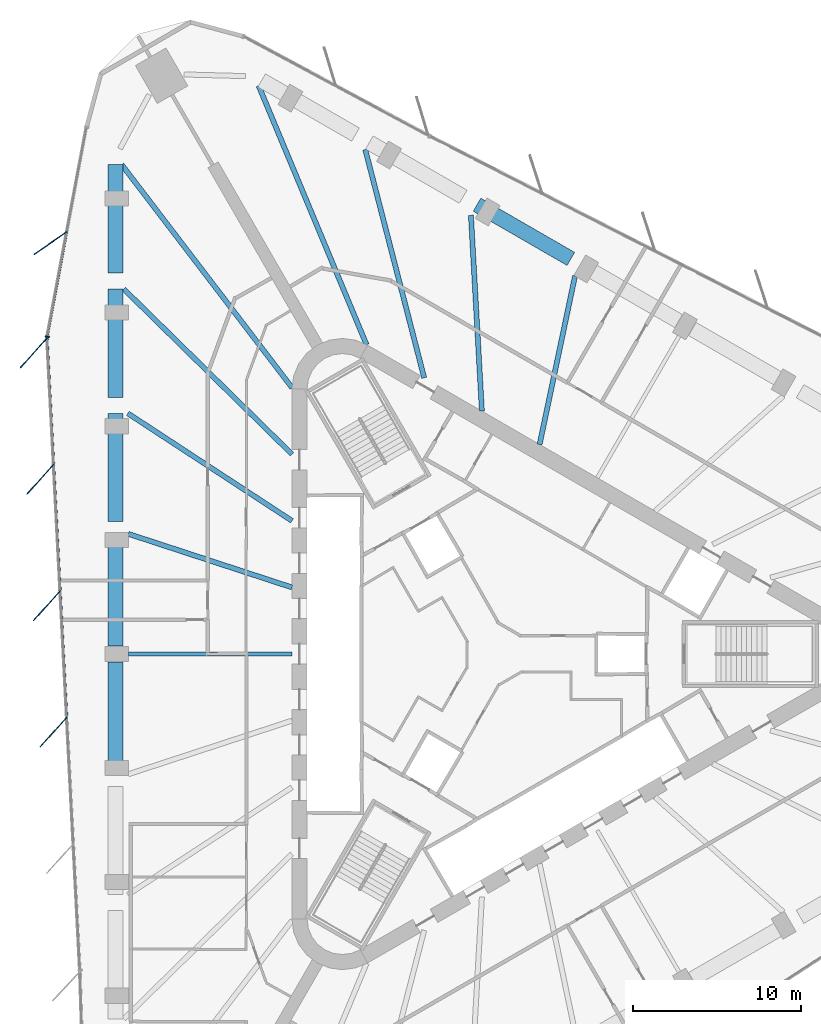
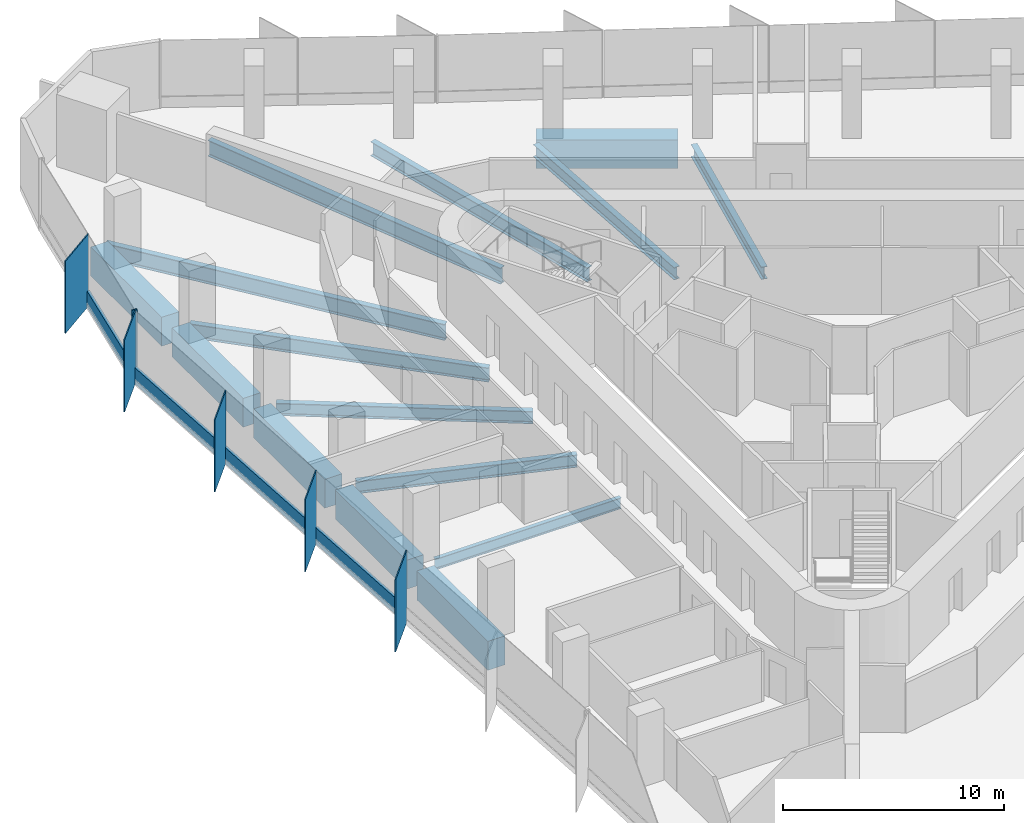
# One storey, part 4 of 13: 15 beams, 10 members, 2 elements without a shape of their own.
"""IFC4 building model written with IfcOpenShell, lengths in metres."""

from ifc_helpers import new_model, si_unit, direction, frame, origin, origin_2d, place, context, subcontext, project, spatial, rectangle, i_section, extrude, material, material_profile, profile_set, type_object, element, aggregate, save


model = new_model("IFC4")

# Units and contexts
model_context = context("Model", 3, precision=1e-05, world=origin(), true_north=direction((0.0, 1.0)))
body_context = subcontext(model_context, "Body", "Model", "MODEL_VIEW")
ifc_project = project(units=[si_unit("LENGTHUNIT", "METRE"), si_unit("AREAUNIT", "SQUARE_METRE"), si_unit("VOLUMEUNIT", "CUBIC_METRE"), si_unit("PLANEANGLEUNIT", "RADIAN"), si_unit("MASSUNIT", "GRAM", prefix="KILO")], contexts=[model_context])

# Site, building, storey
site_placement = place(None, origin())
site = spatial("IfcSite", under=ifc_project, at=site_placement, CompositionType="ELEMENT")
building_placement = place(site_placement, origin())
building = spatial("IfcBuilding", under=site, at=building_placement, Name="Tanit Gate Tower", CompositionType="ELEMENT")
storey_placement = place(building_placement, frame((0.0, 0.0, 169.199951171875)))
storey = spatial("IfcBuildingStorey", under=building, at=storey_placement, Name="L36", CompositionType="ELEMENT", Elevation=169.199951171875)

# Curtain wall, member
ifc_material_1 = material(Name="Aluminium bronze anodised and glass", Category="aluminium")
curtain_wall_type = type_object("IfcCurtainWallType", Name="Curtain wall typical mid", PredefinedType="NOTDEFINED", material=ifc_material_1)
curtain_wall_1_placement = place(storey_placement, origin())
curtain_wall_1 = element("IfcCurtainWall", 1, at=curtain_wall_1_placement, inside=storey, type_object=curtain_wall_type, Name="Curtain wall L36 W1", PredefinedType="NOTDEFINED")
ifc_material_2 = material(Name="Aluminium bronze anodised", Category="aluminium")
ifc_material_profile_1 = material_profile(ifc_material_2, rectangle(XDim=2.39990234375, YDim=0.055908203125, at=origin_2d()), Name="56x2400 bronze fin mullion")
ifc_profile_set_1 = profile_set([ifc_material_profile_1], Name="Aluminium bronze anodised")
member_type_1 = type_object("IfcMemberType", Name="FIN MULLION 56x2400 bronze", PredefinedType="MULLION", material=ifc_profile_set_1)
member_1_placement = place(storey_placement, frame((-26.4541015625, 24.430908203125, -0.300048828125), z_axis=(0.0, 0.0, 1.0), x_axis=(0.825254067471, 0.564761652489, 0.0)))
member_1 = element("IfcMember", 2, at=member_1_placement, type_object=member_type_1, Name="Fin mullion L36 W1.2", PredefinedType="MULLION", context=body_context, shape_type="SweptSolid", body=[
    extrude(rectangle(XDim=2.39990234375, YDim=0.055908203125, at=origin_2d()), origin(), (0.0, 0.0, 1.0), 4.0),
])

# Curtain wall, members
curtain_wall_2_placement = place(storey_placement, origin())
curtain_wall_2 = element("IfcCurtainWall", 3, at=curtain_wall_2_placement, inside=storey, type_object=curtain_wall_type, Name="Curtain wall L36 W2", PredefinedType="NOTDEFINED")
member_2_placement = place(storey_placement, frame((-27.443359375, 17.911865234375, -0.300048828125), z_axis=(0.0, 0.0, 1.0), x_axis=(0.66948111798, 0.742829073656, 0.0)))
member_2 = element("IfcMember", 4, at=member_2_placement, type_object=member_type_1, Name="Fin mullion L36 W2.1", PredefinedType="MULLION", context=body_context, shape_type="SweptSolid", body=[
    extrude(rectangle(XDim=2.39990234375, YDim=0.055908203125, at=origin_2d()), origin(), (0.0, 0.0, 1.0), 4.0),
])
member_3_placement = place(storey_placement, frame((-27.052978515625, 10.396240234375, -0.300048828125), z_axis=(0.0, 0.0, 1.0), x_axis=(0.66948111798, 0.742829073656, 0.0)))
member_3 = element("IfcMember", 5, at=member_3_placement, type_object=member_type_1, Name="Fin mullion L36 W2.2", PredefinedType="MULLION", context=body_context, shape_type="SweptSolid", body=[
    extrude(rectangle(XDim=2.39990234375, YDim=0.055908203125, at=origin_2d()), origin(), (0.0, 0.0, 1.0), 4.0),
])
member_4_placement = place(storey_placement, frame((-26.66259765625, 2.880615234375, -0.300048828125), z_axis=(0.0, 0.0, 1.0), x_axis=(0.66948111798, 0.742829073656, 0.0)))
member_4 = element("IfcMember", 6, at=member_4_placement, type_object=member_type_1, Name="Fin mullion L36 W2.3", PredefinedType="MULLION", context=body_context, shape_type="SweptSolid", body=[
    extrude(rectangle(XDim=2.39990234375, YDim=0.055908203125, at=origin_2d()), origin(), (0.0, 0.0, 1.0), 4.0),
])
member_5_placement = place(storey_placement, frame((-26.2724609375, -4.635009765625, -0.300048828125), z_axis=(0.0, 0.0, 1.0), x_axis=(0.66948111798, 0.742829073656, 0.0)))
member_5 = element("IfcMember", 7, at=member_5_placement, type_object=member_type_1, Name="Fin mullion L36 W2.4", PredefinedType="MULLION", context=body_context, shape_type="SweptSolid", body=[
    extrude(rectangle(XDim=2.39990234375, YDim=0.055908203125, at=origin_2d()), origin(), (0.0, 0.0, 1.0), 4.0),
])

# Member
ifc_material_3 = material(Name="Aluminium bronze anodised", Category="aluminium")
ifc_material_profile_2 = material_profile(ifc_material_3, rectangle(XDim=0.260009765625, YDim=0.080078125, at=origin_2d()), Name="80x260 bronze mullion")
ifc_profile_set_2 = profile_set([ifc_material_profile_2], Name="Aluminium bronze anodised")
member_type_2 = type_object("IfcMemberType", Name="Mullion 80x260 typical mid", PredefinedType="MULLION", material=ifc_profile_set_2)
member_6_placement = place(storey_placement, frame((-26.64892578125, 18.86669921875, -0.300048828125), z_axis=(0.0, 0.0, 1.0), x_axis=(0.98288954154, -0.184195953081, 0.0)))
member_6 = element("IfcMember", 8, at=member_6_placement, type_object=member_type_2, Name="Mullion L36 W1.3", PredefinedType="MULLION", context=body_context, shape_type="SweptSolid", body=[
    extrude(rectangle(XDim=0.260009765625, YDim=0.080078125, at=origin_2d()), origin(), (0.0, 0.0, 1.0), 4.0),
])

# Beams
ifc_material_4 = material(Name="Steel S355", Category="steel")
ifc_material_profile_3 = material_profile(ifc_material_4, i_section(OverallWidth=0.300048828125, OverallDepth=0.68994140625, WebThickness=0.014404296875, FlangeThickness=0.027099609375, FilletRadius=0.027099609375, at=origin_2d()), Name="HEA 700")
ifc_profile_set_3 = profile_set([ifc_material_profile_3], Name="Steel S355")
beam_type_1 = type_object("IfcBeamType", Name="RADIAL GIRDER HEA 700 S355", PredefinedType="BEAM", material=ifc_profile_set_3)
beam_1_placement = place(storey_placement, frame((4.7275390625, 22.48046875, -0.64501953125), z_axis=(-0.205786947525, -0.978596818015, 0.0), x_axis=(0.978596818015, -0.205786947525, 0.0)))
element("IfcBeam", 9, at=beam_1_placement, inside=storey, type_object=beam_type_1, Name="RADIAL GIRDER", PredefinedType="BEAM", context=body_context, shape_type="SweptSolid", body=[
    extrude(i_section(OverallWidth=0.300048828125, OverallDepth=0.68994140625, WebThickness=0.014404296875, FlangeThickness=0.027099609375, FilletRadius=0.027099609375, at=origin_2d()), origin(), (0.0, 0.0, 1.0), 10.238525390625),
])
beam_2_placement = place(storey_placement, frame((-1.46240234375, 26.08251953125, -0.64501953125), z_axis=(0.055972182093, -0.998432328619, 0.0), x_axis=(0.998432328619, 0.055972182093, 0.0)))
element("IfcBeam", 10, at=beam_2_placement, inside=storey, type_object=beam_type_1, Name="RADIAL GIRDER", PredefinedType="BEAM", context=body_context, shape_type="SweptSolid", body=[
    extrude(i_section(OverallWidth=0.300048828125, OverallDepth=0.68994140625, WebThickness=0.014404296875, FlangeThickness=0.027099609375, FilletRadius=0.027099609375, at=origin_2d()), origin(), (0.0, 0.0, 1.0), 11.6591796875),
])
beam_3_placement = place(storey_placement, frame((-21.856689453125, 14.307861328125, -0.64501953125), z_axis=(0.836666622901, -0.547712481256, 0.0), x_axis=(0.547712481256, 0.836666622901, 0.0)))
element("IfcBeam", 11, at=beam_3_placement, inside=storey, type_object=beam_type_1, Name="RADIAL GIRDER", PredefinedType="BEAM", context=body_context, shape_type="SweptSolid", body=[
    extrude(i_section(OverallWidth=0.300048828125, OverallDepth=0.68994140625, WebThickness=0.014404296875, FlangeThickness=0.027099609375, FilletRadius=0.027099609375, at=origin_2d()), origin(), (0.0, 0.0, 1.0), 11.658935546875),
])
beam_4_placement = place(storey_placement, frame((-21.83251953125, 7.14599609375, -0.64501953125), z_axis=(0.950388541719, -0.311065298242, 0.0), x_axis=(0.311065298242, 0.950388541719, 0.0)))
element("IfcBeam", 12, at=beam_4_placement, inside=storey, type_object=beam_type_1, Name="RADIAL GIRDER", PredefinedType="BEAM", context=body_context, shape_type="SweptSolid", body=[
    extrude(i_section(OverallWidth=0.300048828125, OverallDepth=0.68994140625, WebThickness=0.014404296875, FlangeThickness=0.027099609375, FilletRadius=0.027099609375, at=origin_2d()), origin(), (0.0, 0.0, 1.0), 10.238525390625),
])
ifc_material_5 = material(Name="Steel S355", Category="steel")
ifc_material_profile_4 = material_profile(ifc_material_5, i_section(OverallWidth=0.300048828125, OverallDepth=0.7900390625, WebThickness=0.014892578125, FlangeThickness=0.028076171875, FilletRadius=0.030029296875, at=origin_2d()), Name="HEA 800")
ifc_profile_set_4 = profile_set([ifc_material_profile_4], Name="Steel S355")
beam_type_2 = type_object("IfcBeamType", Name="RADIAL GIRDER HEA 800 S355", PredefinedType="BEAM", material=ifc_profile_set_4)
for number, where, z_axis, x_axis, name in (
    (13, (-7.742919921875, 29.98779296875, -0.695068359375), (0.250007137307, -0.968243993679, 0.0), (0.968243993679, 0.250007137307, 0.0), "RADIAL GIRDER"),
    (14, (-22.0986328125, 21.69921875, -0.695068359375), (0.713525004951, -0.70062976479, 0.0), (0.70062976479, 0.713525004951, 0.0), "RADIAL GIRDER"),
):
    element("IfcBeam", number, at=place(storey_placement, frame(where, z_axis=z_axis, x_axis=x_axis)), inside=storey, type_object=beam_type_2, Name=name, PredefinedType="BEAM", context=body_context, shape_type="SweptSolid", body=[
        extrude(i_section(OverallWidth=0.300048828125, OverallDepth=0.7900390625, WebThickness=0.014892578125, FlangeThickness=0.028076171875, FilletRadius=0.030029296875, at=origin_2d()), origin(), (0.0, 0.0, 1.0), 14.01025390625),
    ])
ifc_material_6 = material(Name="Steel S355", Category="steel")
ifc_material_profile_5 = material_profile(ifc_material_6, i_section(OverallWidth=0.300048828125, OverallDepth=0.889892578125, WebThickness=0.01611328125, FlangeThickness=0.030029296875, FilletRadius=0.030029296875, at=origin_2d()), Name="HEA 900")
ifc_profile_set_5 = profile_set([ifc_material_profile_5], Name="Steel S355")
beam_type_3 = type_object("IfcBeamType", Name="RADIAL GIRDER HEA 900 S355", PredefinedType="BEAM", material=ifc_profile_set_5)
for number, where, z_axis, x_axis, name in (
    (15, (-14.08349609375, 33.7880859375, -0.744873046875), (0.384731757577, -0.923028425733, 0.0), (0.923028425733, 0.384731757577, 0.0), "RADIAL GIRDER"),
    (16, (-22.219482421875, 29.0908203125, -0.744873046875), (0.606989396765, -0.794709929606, 0.0), (0.794709929606, 0.606989396765, 0.0), "RADIAL GIRDER"),
):
    element("IfcBeam", number, at=place(storey_placement, frame(where, z_axis=z_axis, x_axis=x_axis)), inside=storey, type_object=beam_type_3, Name=name, PredefinedType="BEAM", context=body_context, shape_type="SweptSolid", body=[
        extrude(i_section(OverallWidth=0.300048828125, OverallDepth=0.889892578125, WebThickness=0.01611328125, FlangeThickness=0.030029296875, FilletRadius=0.030029296875, at=origin_2d()), origin(), (0.0, 0.0, 1.0), 16.68359375),
    ])
ifc_material_7 = material(Name="Steel S355", Category="steel")
ifc_material_profile_6 = material_profile(ifc_material_7, i_section(OverallWidth=0.219970703125, OverallDepth=0.60009765625, WebThickness=0.011962890625, FlangeThickness=0.01904296875, FilletRadius=0.02392578125, at=origin_2d()), Name="IPE 600")
ifc_profile_set_6 = profile_set([ifc_material_profile_6], Name="Steel S355")
beam_type_4 = type_object("IfcBeamType", Name="RADIAL GIRDER IPE 600 S355", PredefinedType="BEAM", material=ifc_profile_set_6)
beam_5_placement = place(storey_placement, frame((-21.83251953125, 0.0, -0.599853515625), z_axis=(1.0, 0.0, 0.0), x_axis=(0.0, 1.0, 0.0)))
element("IfcBeam", 17, at=beam_5_placement, inside=storey, type_object=beam_type_4, Name="RADIAL GIRDER", PredefinedType="BEAM", context=body_context, shape_type="SweptSolid", body=[
    extrude(i_section(OverallWidth=0.219970703125, OverallDepth=0.60009765625, WebThickness=0.011962890625, FlangeThickness=0.01904296875, FilletRadius=0.02392578125, at=origin_2d()), origin(), (0.0, 0.0, 1.0), 9.73046875),
])
ifc_material_8 = material(Name="Concrete C60/75", Category="concrete")
ifc_material_profile_7 = material_profile(ifc_material_8, rectangle(XDim=0.89990234375, YDim=1.60009765625, at=origin_2d()), Name="RC 900x1600")
ifc_profile_set_7 = profile_set([ifc_material_profile_7], Name="Concrete C60/75")
beam_type_5 = type_object("IfcBeamType", Name="TRANSFER GIRDER 900x1600 C60/75", PredefinedType="USERDEFINED", material=ifc_profile_set_7)
beam_6_placement = place(storey_placement, frame((4.478515625, 23.490234375, -1.099853515625), z_axis=(-0.866013897511, 0.50001992892, 0.0), x_axis=(-0.50001992892, -0.866013897511, 0.0)))
element("IfcBeam", 18, at=beam_6_placement, inside=storey, type_object=beam_type_5, Name="TRANSFER GIRDER", ObjectType="GIRDER", PredefinedType="USERDEFINED", context=body_context, shape_type="SweptSolid", body=[
    extrude(rectangle(XDim=0.89990234375, YDim=1.60009765625, at=origin_2d()), origin(), (0.0, 0.0, 1.0), 6.441162109375),
])
for number, where, z_axis, x_axis, name in (
    (19, (-22.58251953125, 29.0908203125, -1.099853515625), (0.0, -1.0, 0.0), (1.0, 0.0, 0.0), "TRANSFER GIRDER"),
    (20, (-22.58251953125, 21.69921875, -1.099853515625), (0.0, -1.0, 0.0), (1.0, 0.0, 0.0), "TRANSFER GIRDER"),
    (21, (-22.58251953125, 14.307861328125, -1.099853515625), (0.0, -1.0, 0.0), (1.0, 0.0, 0.0), "TRANSFER GIRDER"),
    (22, (-22.58251953125, 6.91650390625, -1.099853515625), (0.0, -1.0, 0.0), (1.0, 0.0, 0.0), "TRANSFER GIRDER"),
    (23, (-22.58251953125, -0.47509765625, -1.099853515625), (0.0, -1.0, 0.0), (1.0, 0.0, 0.0), "TRANSFER GIRDER"),
):
    element("IfcBeam", number, at=place(storey_placement, frame(where, z_axis=z_axis, x_axis=x_axis)), inside=storey, type_object=beam_type_5, Name=name, ObjectType="GIRDER", PredefinedType="USERDEFINED", context=body_context, shape_type="SweptSolid", body=[
        extrude(rectangle(XDim=0.89990234375, YDim=1.60009765625, at=origin_2d()), origin(), (0.0, 0.0, 1.0), 6.44140625),
    ])

# Member
ifc_material_9 = material(Name="Aluminium bronze anodised", Category="aluminium")
ifc_material_profile_8 = material_profile(ifc_material_9, rectangle(XDim=0.139892578125, YDim=0.89990234375, at=origin_2d()), Name="140x900 bronze transom")
ifc_profile_set_8 = profile_set([ifc_material_profile_8], Name="Aluminium bronze anodised")
member_type_3 = type_object("IfcMemberType", Name="Transom 140x900 typical mid", PredefinedType="USERDEFINED", material=ifc_profile_set_8)
member_7_placement = place(storey_placement, frame((-25.48876953125, 25.057373046875, 0.150146484375), z_axis=(-0.184173118733, -0.982893820479, 0.0), x_axis=(0.982893820479, -0.184173118733, 0.0)))
member_7 = element("IfcMember", 24, at=member_7_placement, type_object=member_type_3, Name="Transom L36 W1.2", ObjectType="TRANSOM", PredefinedType="USERDEFINED", context=body_context, shape_type="SweptSolid", body=[
    extrude(rectangle(XDim=0.139892578125, YDim=0.89990234375, at=origin_2d()), origin(), (0.0, 0.0, 1.0), 6.258056640625),
])

aggregate(curtain_wall_1, [member_1, member_6, member_7])

member_8_placement = place(storey_placement, frame((-26.652099609375, 18.74755859375, 0.150146484375), z_axis=(0.051872154399, -0.998653733582, 0.0), x_axis=(0.998653733582, 0.051872154399, 0.0)))
member_8 = element("IfcMember", 25, at=member_8_placement, type_object=member_type_3, Name="Transom L36 W2.1", ObjectType="TRANSOM", PredefinedType="USERDEFINED", context=body_context, shape_type="SweptSolid", body=[
    extrude(rectangle(XDim=0.139892578125, YDim=0.89990234375, at=origin_2d()), origin(), (0.0, 0.0, 1.0), 7.44580078125),
])

member_9_placement = place(storey_placement, frame((-26.26171875, 11.23193359375, 0.150146484375), z_axis=(0.051872154399, -0.998653733582, 0.0), x_axis=(0.998653733582, 0.051872154399, 0.0)))
member_9 = element("IfcMember", 26, at=member_9_placement, type_object=member_type_3, Name="Transom L36 W2.2", ObjectType="TRANSOM", PredefinedType="USERDEFINED", context=body_context, shape_type="SweptSolid", body=[
    extrude(rectangle(XDim=0.139892578125, YDim=0.89990234375, at=origin_2d()), origin(), (0.0, 0.0, 1.0), 7.44580078125),
])

member_10_placement = place(storey_placement, frame((-25.871337890625, 3.71630859375, 0.150146484375), z_axis=(0.051839453569, -0.998655431595, 0.0), x_axis=(0.998655431595, 0.051839453569, 0.0)))
member_10 = element("IfcMember", 27, at=member_10_placement, type_object=member_type_3, Name="Transom L36 W2.3", ObjectType="TRANSOM", PredefinedType="USERDEFINED", context=body_context, shape_type="SweptSolid", body=[
    extrude(rectangle(XDim=0.139892578125, YDim=0.89990234375, at=origin_2d()), origin(), (0.0, 0.0, 1.0), 7.44580078125),
])

aggregate(curtain_wall_2, [member_2, member_3, member_4, member_5, member_8, member_9, member_10])

save(model, "model.ifc")
